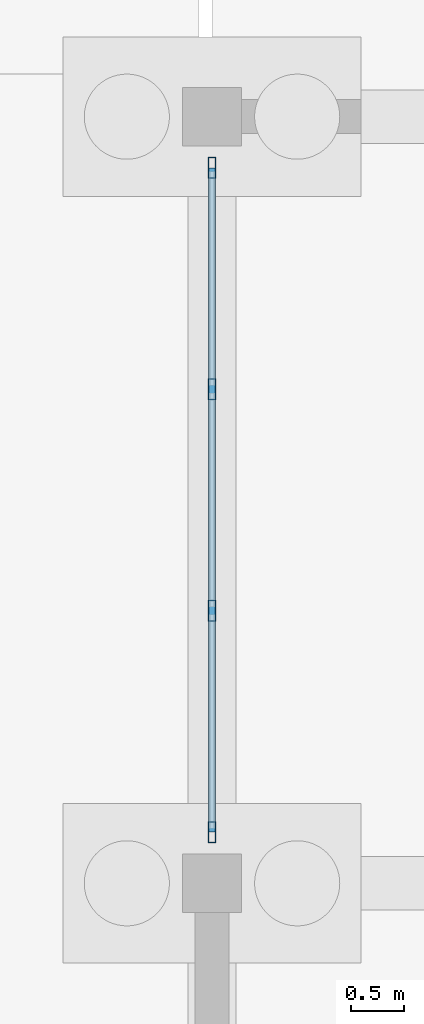
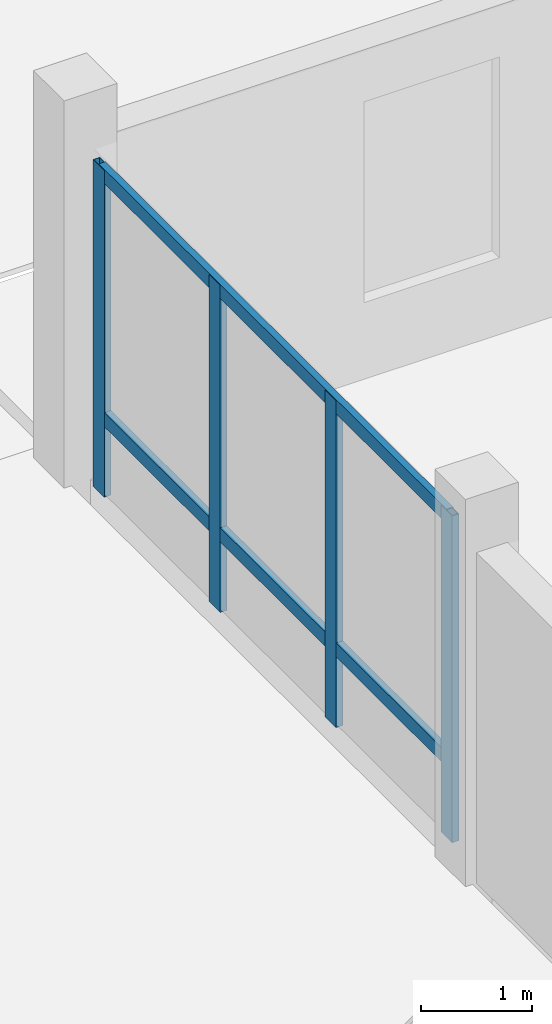
# One storey, part 31 of 98: 6 members, 1 element without a shape of its own.
"""IFC4 building model written with IfcOpenShell, lengths in metres."""

from ifc_helpers import new_model, si_unit, direction, frame, origin, origin_2d, place, context, subcontext, project, spatial, hollow_rectangle, extrude, material, material_profile, profile_set, type_object, element, aggregate, save


model = new_model("IFC4")

# Units and contexts
model_context = context("Model", 3, precision=1e-05, world=origin(), true_north=direction((0.0, 1.0)))
body_context = subcontext(model_context, "Body", "Model", "MODEL_VIEW")
ifc_project = project(units=[si_unit("LENGTHUNIT", "METRE"), si_unit("AREAUNIT", "SQUARE_METRE"), si_unit("VOLUMEUNIT", "CUBIC_METRE"), si_unit("PLANEANGLEUNIT", "RADIAN"), si_unit("MASSUNIT", "GRAM", prefix="KILO")], contexts=[model_context])

# Site, building, storey
site_placement = place(None, origin())
site = spatial("IfcSite", under=ifc_project, at=site_placement, CompositionType="ELEMENT")
building_placement = place(site_placement, origin())
building = spatial("IfcBuilding", under=site, at=building_placement, Name="Zornivar Specialist Clinic", CompositionType="ELEMENT")
storey_placement = place(building_placement, origin())
storey = spatial("IfcBuildingStorey", under=building, at=storey_placement, Name="L00", CompositionType="ELEMENT", Elevation=0.0)

# Curtain wall, members
ifc_material_1 = material(Name="Aluminium and Low-E Glass Curtain Wall", Category="aluminium")
curtain_wall_type = type_object("IfcCurtainWallType", Name="CW-WINTERGARDEN", PredefinedType="NOTDEFINED", material=ifc_material_1)
curtain_wall_placement = place(storey_placement, origin())
curtain_wall = element("IfcCurtainWall", 1, at=curtain_wall_placement, inside=storey, type_object=curtain_wall_type, Name="cw:V4:L00:15", PredefinedType="NOTDEFINED")
ifc_material_2 = material(Name="Aluminium AW-6060", Category="aluminium")
ifc_material_profile_1 = material_profile(ifc_material_2, hollow_rectangle(XDim=0.070068359375, YDim=0.199951171875, WallThickness=0.0048828125, at=origin_2d()), Name="ALU 70x200x5")
ifc_profile_set_1 = profile_set([ifc_material_profile_1], Name="Aluminium AW-6060")
member_type_1 = type_object("IfcMemberType", Name="CWM-MUL-200", PredefinedType="MULLION", material=ifc_profile_set_1)
member_1_placement = place(storey_placement, frame((122.39990234375, 21.1201171875, 0.0), z_axis=(0.0, 0.0, 1.0), x_axis=(1.0, 0.0, 0.0)))
member_1 = element("IfcMember", 2, at=member_1_placement, type_object=member_type_1, Name="cw:V4:L00:15:mul:0", PredefinedType="MULLION", context=body_context, shape_type="SweptSolid", body=[
    extrude(hollow_rectangle(XDim=0.070068359375, YDim=0.199951171875, WallThickness=0.0048828125, at=origin_2d()), origin(), (0.0, 0.0, 1.0), 3.580078125),
])
member_2_placement = place(storey_placement, frame((122.39990234375, 19.0400390625, 0.0), z_axis=(0.0, 0.0, 1.0), x_axis=(1.0, 0.0, 0.0)))
member_2 = element("IfcMember", 3, at=member_2_placement, type_object=member_type_1, Name="cw:V4:L00:15:mul:1", PredefinedType="MULLION", context=body_context, shape_type="SweptSolid", body=[
    extrude(hollow_rectangle(XDim=0.070068359375, YDim=0.199951171875, WallThickness=0.0048828125, at=origin_2d()), origin(), (0.0, 0.0, 1.0), 3.580078125),
])
member_3_placement = place(storey_placement, frame((122.39990234375, 16.9599609375, 0.0), z_axis=(0.0, 0.0, 1.0), x_axis=(1.0, 0.0, 0.0)))
member_3 = element("IfcMember", 4, at=member_3_placement, type_object=member_type_1, Name="cw:V4:L00:15:mul:2", PredefinedType="MULLION", context=body_context, shape_type="SweptSolid", body=[
    extrude(hollow_rectangle(XDim=0.070068359375, YDim=0.199951171875, WallThickness=0.0048828125, at=origin_2d()), origin(), (0.0, 0.0, 1.0), 3.580078125),
])
member_4_placement = place(storey_placement, frame((122.39990234375, 14.8798828125, 0.0), z_axis=(0.0, 0.0, 1.0), x_axis=(1.0, 0.0, 0.0)))
member_4 = element("IfcMember", 5, at=member_4_placement, type_object=member_type_1, Name="cw:V4:L00:15:mul:3", PredefinedType="MULLION", context=body_context, shape_type="SweptSolid", body=[
    extrude(hollow_rectangle(XDim=0.070068359375, YDim=0.199951171875, WallThickness=0.0048828125, at=origin_2d()), origin(), (0.0, 0.0, 1.0), 3.580078125),
])
ifc_material_3 = material(Name="Aluminium AW-6060", Category="aluminium")
ifc_material_profile_2 = material_profile(ifc_material_3, hollow_rectangle(XDim=0.070068359375, YDim=0.155029296875, WallThickness=0.00439453125, at=origin_2d()), Name="ALU 70x155x4.5")
ifc_profile_set_2 = profile_set([ifc_material_profile_2], Name="Aluminium AW-6060")
member_type_2 = type_object("IfcMemberType", Name="CWM-TRN-155", PredefinedType="USERDEFINED", material=ifc_profile_set_2)
member_5_placement = place(storey_placement, frame((122.39990234375, 21.1201171875, 0.85009765625), z_axis=(0.0, -1.0, 0.0), x_axis=(1.0, 0.0, 0.0)))
member_5 = element("IfcMember", 6, at=member_5_placement, type_object=member_type_2, Name="cw:V4:L00:15:trn:0", ObjectType="TRANSOM", PredefinedType="USERDEFINED", context=body_context, shape_type="SweptSolid", body=[
    extrude(hollow_rectangle(XDim=0.070068359375, YDim=0.155029296875, WallThickness=0.00439453125, at=origin_2d()), origin(), (0.0, 0.0, 1.0), 6.240234375),
])
member_6_placement = place(storey_placement, frame((122.39990234375, 21.1201171875, 3.514892578125), z_axis=(0.0, -1.0, 0.0), x_axis=(1.0, 0.0, 0.0)))
member_6 = element("IfcMember", 7, at=member_6_placement, type_object=member_type_2, Name="cw:V4:L00:15:trn:1", ObjectType="TRANSOM", PredefinedType="USERDEFINED", context=body_context, shape_type="SweptSolid", body=[
    extrude(hollow_rectangle(XDim=0.070068359375, YDim=0.155029296875, WallThickness=0.00439453125, at=origin_2d()), origin(), (0.0, 0.0, 1.0), 6.240234375),
])
aggregate(curtain_wall, [member_1, member_2, member_3, member_4, member_5, member_6])

save(model, "model.ifc")
